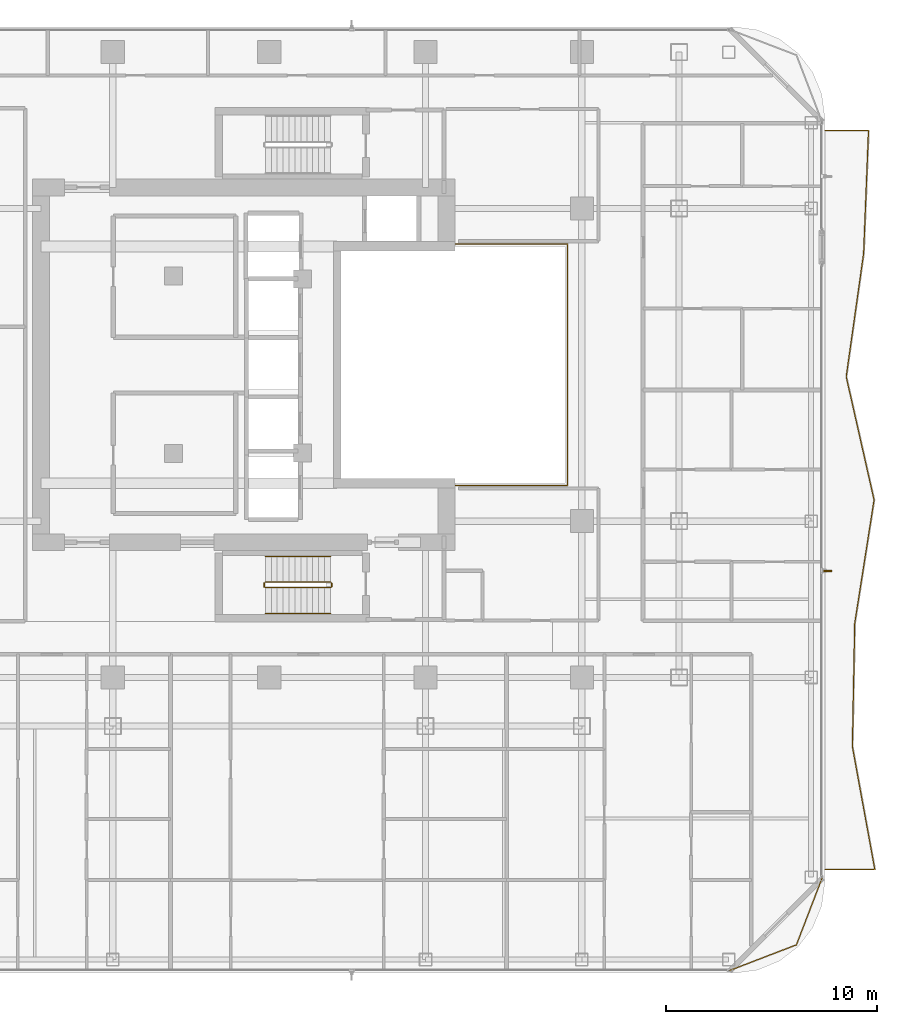
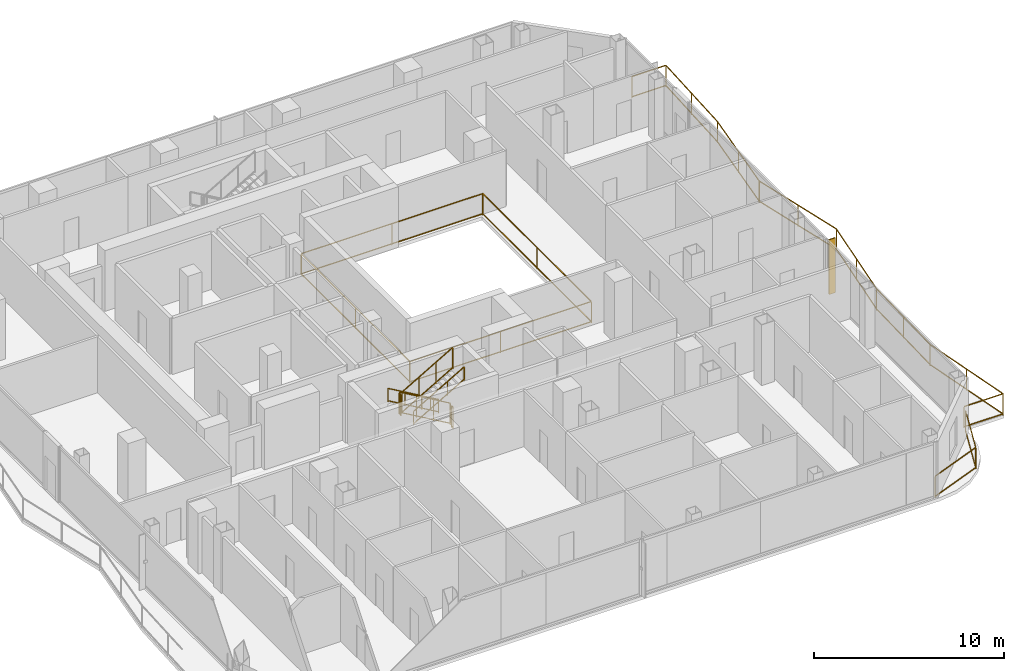
# One storey, part 26 of 27: 9 railings, 1 shading device.
"""IFC4 building model written with IfcOpenShell, lengths in metres."""

import ifcopenshell
import ifcopenshell.guid

model = None  # the IFC model being written
_history = None  # IfcOwnerHistory: only IFC2X3 demands one
_inside = {}  # id of a spatial element -> (the spatial element, [elements in it])
_under = {}  # id of a project, library or spatial element -> (it, [spatial elements below it])
_declared = {}  # id of a project -> (the project, [libraries it declares])
_typed = {}  # id of a type object -> (the type object, [elements of that type])
_made_of = {}  # id of a material, layer set ... -> (it, [elements and type objects made of it])


def new_model(schema):
    """Start an empty IFC model of exactly this schema.

    Asked for "IFC4X3", IfcOpenShell would pick the latest addendum, in which some entities
    have other attributes; the version numbers below select the first issue.
    IFC2X3 requires an IfcOwnerHistory on every rooted entity: one is made here for all.
    """
    global model, _history
    if schema == "IFC4X3":
        model = ifcopenshell.file(schema_version=(4, 3, 0, 0))
    else:
        model = ifcopenshell.file(schema=schema)
    _inside.clear()
    _under.clear()
    _declared.clear()
    _typed.clear()
    _made_of.clear()
    _history = None
    if model.schema == "IFC2X3":
        org = make("IfcOrganization", Name="unknown")
        user = make(
            "IfcPersonAndOrganization",
            ThePerson=make("IfcPerson", FamilyName="unknown"),
            TheOrganization=org,
        )
        app = make(
            "IfcApplication",
            ApplicationDeveloper=org,
            Version="unknown",
            ApplicationFullName="unknown",
            ApplicationIdentifier="unknown",
        )
        _history = make(
            "IfcOwnerHistory",
            OwningUser=user,
            OwningApplication=app,
            ChangeAction="ADDED",
            CreationDate=0,
        )
    return model


def make(cls, **values):
    """One entity of the class cls with the attributes given. An attribute that is None is left unset."""
    return model.create_entity(
        cls, **{name: value for name, value in values.items() if value is not None}
    )


def rooted(cls, **values):
    """An entity with a GlobalId (a new one), such as an element, a storey or a relation."""
    return make(cls, GlobalId=ifcopenshell.guid.new(), OwnerHistory=_history, **values)


def si_unit(unit_type, name, prefix=None):
    """IfcSIUnit, for example si_unit("LENGTHUNIT", "METRE", prefix="MILLI")."""
    return make("IfcSIUnit", UnitType=unit_type, Prefix=prefix, Name=name)


def assignment(units):
    """IfcUnitAssignment: the units of a project."""
    return None if units is None else make("IfcUnitAssignment", Units=units)


def point(xyz):
    """IfcCartesianPoint."""
    return None if xyz is None else make("IfcCartesianPoint", Coordinates=xyz)


def direction(xyz):
    """IfcDirection."""
    return None if xyz is None else make("IfcDirection", DirectionRatios=xyz)


def frame(location, z_axis=None, x_axis=None):
    """IfcAxis2Placement3D, a coordinate frame: its origin and axes. An axis left out is left unset."""
    return make(
        "IfcAxis2Placement3D",
        Location=point(location),
        Axis=direction(z_axis),
        RefDirection=direction(x_axis),
    )


def frame_2d(location, x_axis=None):
    """IfcAxis2Placement2D, a coordinate frame in the plane: its origin and x axis."""
    return make(
        "IfcAxis2Placement2D", Location=point(location), RefDirection=direction(x_axis)
    )


def origin():
    """The frame at (0, 0, 0) with its axes left unset."""
    return frame((0.0, 0.0, 0.0))


def origin_2d():
    """The frame at (0, 0) in the plane with its x axis left unset."""
    return frame_2d((0.0, 0.0))


def place(relative_to, where):
    """IfcLocalPlacement: puts the frame where relative to a parent placement (None: the world)."""
    return make(
        "IfcLocalPlacement", PlacementRelTo=relative_to, RelativePlacement=where
    )


def context(
    kind, dimensions, precision=None, world=None, true_north=None, identifier=None
):
    """IfcGeometricRepresentationContext, for example the 3D "Model" context."""
    return make(
        "IfcGeometricRepresentationContext",
        ContextIdentifier=identifier,
        ContextType=kind,
        CoordinateSpaceDimension=dimensions,
        Precision=precision,
        WorldCoordinateSystem=world,
        TrueNorth=true_north,
    )


def subcontext(parent, identifier, kind, view, scale=None):
    """IfcGeometricRepresentationSubContext, for example "Body" below "Model"."""
    return make(
        "IfcGeometricRepresentationSubContext",
        ContextIdentifier=identifier,
        ContextType=kind,
        ParentContext=parent,
        TargetScale=scale,
        TargetView=view,
    )


def project(units=None, contexts=None):
    """IfcProject with its units and contexts."""
    return rooted(
        "IfcProject",
        Name="project",
        RepresentationContexts=contexts,
        UnitsInContext=assignment(units),
    )


def spatial(cls, under=None, at=None, **own):
    """A site, building, storey or space (cls), placed at a placement, below another one or the project."""
    s = rooted(cls, ObjectPlacement=at, **own)
    if under is not None:
        _under.setdefault(under.id(), (under, []))[1].append(s)
    return s


def profile(cls, at=None, kind="AREA", **sizes):
    """A parametric profile (cls). Its sizes go by their IFC names, for example OverallWidth=200.0."""
    return make(cls, ProfileType=kind, Position=at, **sizes)


def rectangle(**sizes):
    """IfcRectangleProfileDef."""
    return profile("IfcRectangleProfileDef", **sizes)


def extrude(swept, where, along, depth):
    """IfcExtrudedAreaSolid: the profile swept, set in the frame where, extruded along a direction by depth."""
    return make(
        "IfcExtrudedAreaSolid",
        SweptArea=swept,
        Position=where,
        ExtrudedDirection=direction(along),
        Depth=depth,
    )


def shape(context_of_items, identifier, shape_type, items):
    """IfcShapeRepresentation: the items that make up one representation, for example the "Body"."""
    return make(
        "IfcShapeRepresentation",
        ContextOfItems=context_of_items,
        RepresentationIdentifier=identifier,
        RepresentationType=shape_type,
        Items=items,
    )


def material(Name=None, Category=None):
    """IfcMaterial."""
    return make("IfcMaterial", Name=Name, Category=Category)


def layer(
    of_material, thickness, ventilated=None, Name=None, Category=None, Priority=None
):
    """IfcMaterialLayer: one layer of a wall or slab, of a material (None: an air gap)."""
    return make(
        "IfcMaterialLayer",
        Material=of_material,
        LayerThickness=thickness,
        IsVentilated=ventilated,
        Name=Name,
        Category=Category,
        Priority=Priority,
    )


def layer_set(layers, Name=None):
    """IfcMaterialLayerSet."""
    return make("IfcMaterialLayerSet", MaterialLayers=layers, LayerSetName=Name)


def made_of(thing, what):
    """Note that an element or type object is made of a material, layer set ...; save() writes the relation."""
    if what is not None:
        _made_of.setdefault(what.id(), (what, []))[1].append(thing)
    return thing


def type_object(cls, material=None, **own):
    """A type object (cls), such as IfcWallType, which elements share."""
    return made_of(rooted(cls, **own), material)


def element(
    cls,
    number,
    at=None,
    inside=None,
    cuts=None,
    type_object=None,
    material=None,
    context=None,
    identifier="Body",
    shape_type=None,
    held_by="IfcProductDefinitionShape",
    body=None,
    shapes=None,
    **own,
):
    """One element of the class cls, such as IfcWall. Its Tag is "e" and its number.

    at: its placement. inside: the storey or other place that contains it. cuts: it is an
    opening in that element (IfcRelVoidsElement). A single representation is given by context,
    identifier, shape_type and body (its items); several are given by shapes. held_by: the class
    of the entity that holds the representations. save() writes the other relations.
    """
    e = rooted(cls, Tag="e%d" % number, ObjectPlacement=at, **own)
    if body is not None:
        shapes = [shape(context, identifier, shape_type, body)]
    if shapes is not None:
        e.Representation = make(held_by, Representations=shapes)
    if inside is not None:
        _inside.setdefault(inside.id(), (inside, []))[1].append(e)
    if cuts is not None:
        rooted(
            "IfcRelVoidsElement", RelatingBuildingElement=cuts, RelatedOpeningElement=e
        )
    if type_object is not None:
        _typed.setdefault(type_object.id(), (type_object, []))[1].append(e)
    return made_of(e, material)


def aggregate(whole, parts):
    """IfcRelAggregates: a whole, such as a stair, and the parts it consists of."""
    return rooted("IfcRelAggregates", RelatingObject=whole, RelatedObjects=parts)


def save(model, path):
    """Write the relations noted so far, then the file.

    IfcRelAggregates (storeys below a building ...), IfcRelContainedInSpatialStructure (elements
    in a storey), IfcRelDefinesByType, IfcRelAssociatesMaterial and IfcRelDeclares: one each for
    every whole, place, type object, material and project.
    """
    for whole, parts in _under.values():
        aggregate(whole, parts)
    for where, things in _inside.values():
        rooted(
            "IfcRelContainedInSpatialStructure",
            RelatedElements=things,
            RelatingStructure=where,
        )
    for kind, things in _typed.values():
        rooted("IfcRelDefinesByType", RelatedObjects=things, RelatingType=kind)
    for what, things in _made_of.values():
        rooted("IfcRelAssociatesMaterial", RelatedObjects=things, RelatingMaterial=what)
    for by, libraries in _declared.values():
        rooted("IfcRelDeclares", RelatingContext=by, RelatedDefinitions=libraries)
    model.write(path)


model = new_model("IFC4")

# Units and contexts
model_context = context("Model", 3, precision=1e-05, world=origin(), true_north=direction((0.0, 1.0)))
body_context = subcontext(model_context, "Body", "Model", "MODEL_VIEW")
ifc_project = project(units=[si_unit("LENGTHUNIT", "METRE"), si_unit("AREAUNIT", "SQUARE_METRE"), si_unit("VOLUMEUNIT", "CUBIC_METRE"), si_unit("PLANEANGLEUNIT", "RADIAN"), si_unit("MASSUNIT", "GRAM", prefix="KILO")], contexts=[model_context])

# Site, building, storey
site_placement = place(None, origin())
site = spatial("IfcSite", under=ifc_project, at=site_placement, CompositionType="ELEMENT")
building_placement = place(site_placement, origin())
building = spatial("IfcBuilding", under=site, at=building_placement, Name="Khorvyn Point Tower", CompositionType="ELEMENT")
storey_placement = place(building_placement, frame((0.0, 0.0, 231.300048828125)))
storey = spatial("IfcBuildingStorey", under=building, at=storey_placement, Name="L57", CompositionType="ELEMENT", Elevation=231.300048828125)

# Shading device
ifc_material_1 = material(Name="Bronze anodised aluminium 6063-T6", Category="aluminium")
ifc_layer = layer(ifc_material_1, 0.06494140625)
ifc_layer_set = layer_set([ifc_layer], Name="Bronze Anodised Aluminium FIN 380x65")
shading_device_type = type_object("IfcShadingDeviceType", Name="Bronze Anodised Aluminium FIN 380x65", PredefinedType="USERDEFINED", material=ifc_layer_set)
shading_device_placement = place(storey_placement, frame((26.429931640625, -9.75390625, 0.0400390625), z_axis=(0.0, 0.0, 1.0), x_axis=(1.0, 0.0, 0.0)))
element("IfcShadingDevice", 1, at=shading_device_placement, inside=storey, type_object=shading_device_type, Name="L57 Anodised FIN 01", ObjectType="FIN", PredefinedType="USERDEFINED", context=body_context, shape_type="SweptSolid", body=[
    extrude(rectangle(XDim=0.3798828125, YDim=0.06494140625, at=origin_2d()), origin(), (0.0, 0.0, 1.0), 3.52001953125),
])

# Railings
ifc_material_2 = material(Name="Stainless steel 1.4401 and laminated glass", Category="steel")
railing_type_1 = type_object("IfcRailingType", Name="Crystal Atrium Smoke-Rated Perimeter Guardrail 1400", PredefinedType="GUARDRAIL", material=ifc_material_2)
railing_1_placement = place(storey_placement, frame((3.080078125, -5.719970703125, 0.0)))
element("IfcRailing", 2, at=railing_1_placement, inside=storey, type_object=railing_type_1, Name="L57 Crystal Atrium Perimeter Guardrail", PredefinedType="GUARDRAIL", context=body_context, shape_type="SweptSolid", body=[
    extrude(rectangle(XDim=0.048095703125, YDim=0.048095703125, at=origin_2d()), frame((0.0, 0.0, 1.3759765625), z_axis=(1.0, 0.0, 0.0), x_axis=(0.0, 1.0, 0.0)), (0.0, 0.0, 1.0), 11.0400390625),
    extrude(rectangle(XDim=0.048095703125, YDim=0.048095703125, at=origin_2d()), frame((0.0, 0.0, 0.080078125), z_axis=(1.0, 0.0, 0.0), x_axis=(0.0, 1.0, 0.0)), (0.0, 0.0, 1.0), 11.0400390625),
    extrude(rectangle(XDim=0.048095703125, YDim=0.048095703125, at=origin_2d()), frame((11.0400390625, 0.0, 1.3759765625), z_axis=(0.0, 1.0, 0.0), x_axis=(-1.0, 0.0, 0.0)), (0.0, 0.0, 1.0), 11.43994140625),
    extrude(rectangle(XDim=0.048095703125, YDim=0.048095703125, at=origin_2d()), frame((11.0400390625, 0.0, 0.080078125), z_axis=(0.0, 1.0, 0.0), x_axis=(-1.0, 0.0, 0.0)), (0.0, 0.0, 1.0), 11.43994140625),
    extrude(rectangle(XDim=0.048095703125, YDim=0.048095703125, at=origin_2d()), frame((11.0400390625, 11.43994140625, 1.3759765625), z_axis=(-1.0, 0.0, 0.0), x_axis=(0.0, -1.0, 0.0)), (0.0, 0.0, 1.0), 11.0400390625),
    extrude(rectangle(XDim=0.048095703125, YDim=0.048095703125, at=origin_2d()), frame((11.0400390625, 11.43994140625, 0.080078125), z_axis=(-1.0, 0.0, 0.0), x_axis=(0.0, -1.0, 0.0)), (0.0, 0.0, 1.0), 11.0400390625),
    extrude(rectangle(XDim=0.048095703125, YDim=0.048095703125, at=origin_2d()), frame((0.0, 11.43994140625, 1.3759765625), z_axis=(0.0, -1.0, 0.0), x_axis=(1.0, 0.0, 0.0)), (0.0, 0.0, 1.0), 11.409912109375),
    extrude(rectangle(XDim=0.048095703125, YDim=0.048095703125, at=origin_2d()), frame((0.0, 11.43994140625, 0.080078125), z_axis=(0.0, -1.0, 0.0), x_axis=(1.0, 0.0, 0.0)), (0.0, 0.0, 1.0), 11.409912109375),
    extrude(rectangle(XDim=0.0419921875, YDim=0.0419921875, at=origin_2d()), origin(), (0.0, 0.0, 1.0), 1.351806640625),
    extrude(rectangle(XDim=0.0419921875, YDim=0.0419921875, at=origin_2d()), frame((5.52001953125, 0.0, 0.0)), (0.0, 0.0, 1.0), 1.351806640625),
    extrude(rectangle(XDim=0.0419921875, YDim=0.0419921875, at=origin_2d()), frame((11.0400390625, 0.0, 0.0)), (0.0, 0.0, 1.0), 1.351806640625),
    extrude(rectangle(XDim=0.0419921875, YDim=0.0419921875, at=origin_2d()), frame((11.0400390625, 5.719970703125, 0.0)), (0.0, 0.0, 1.0), 1.351806640625),
    extrude(rectangle(XDim=0.0419921875, YDim=0.0419921875, at=origin_2d()), frame((11.0400390625, 11.43994140625, 0.0)), (0.0, 0.0, 1.0), 1.351806640625),
    extrude(rectangle(XDim=0.0419921875, YDim=0.0419921875, at=origin_2d()), frame((5.52001953125, 11.43994140625, 0.0)), (0.0, 0.0, 1.0), 1.351806640625),
    extrude(rectangle(XDim=0.0419921875, YDim=0.0419921875, at=origin_2d()), frame((0.0, 11.43994140625, 0.0)), (0.0, 0.0, 1.0), 1.351806640625),
    extrude(rectangle(XDim=0.0419921875, YDim=0.0419921875, at=origin_2d()), frame((0.0, 5.73486328125, 0.0)), (0.0, 0.0, 1.0), 1.351806640625),
    extrude(rectangle(XDim=0.0419921875, YDim=0.0419921875, at=origin_2d()), frame((0.0, 0.030029296875, 0.0)), (0.0, 0.0, 1.0), 1.351806640625),
])
ifc_material_3 = material(Name="Anodised aluminium 6063-T6 and laminated safety glass", Category="aluminium")
railing_type_2 = type_object("IfcRailingType", Name="Laminated Glass and Aluminium Balcony Guardrail 1400", PredefinedType="BALUSTRADE", material=ifc_material_3)
railing_2_placement = place(storey_placement, frame((21.78125, -28.67431640625, 0.0)))
element("IfcRailing", 3, at=railing_2_placement, inside=storey, type_object=railing_type_2, Name="L57 Rounded Corner Edge Guardrail SE", PredefinedType="BALUSTRADE", context=body_context, shape_type="SweptSolid", body=[
    extrude(rectangle(XDim=0.048095703125, YDim=0.048095703125, at=origin_2d()), frame((0.0, 0.0, 1.3759765625), z_axis=(0.933589651443, 0.358343916815, 0.0), x_axis=(-0.358343916815, 0.933589651443, 0.0)), (0.0, 0.0, 1.0), 3.400390625),
    extrude(rectangle(XDim=0.048095703125, YDim=0.048095703125, at=origin_2d()), frame((0.0, 0.0, 0.080078125), z_axis=(0.933589651443, 0.358343916815, 0.0), x_axis=(-0.358343916815, 0.933589651443, 0.0)), (0.0, 0.0, 1.0), 3.400390625),
    extrude(rectangle(XDim=0.048095703125, YDim=0.048095703125, at=origin_2d()), frame((3.174560546875, 1.218505859375, 1.3759765625), z_axis=(0.358343916815, 0.933589651443, 0.0), x_axis=(-0.933589651443, 0.358343916815, 0.0)), (0.0, 0.0, 1.0), 3.400390625),
    extrude(rectangle(XDim=0.048095703125, YDim=0.048095703125, at=origin_2d()), frame((3.174560546875, 1.218505859375, 0.080078125), z_axis=(0.358343916815, 0.933589651443, 0.0), x_axis=(-0.933589651443, 0.358343916815, 0.0)), (0.0, 0.0, 1.0), 3.400390625),
    extrude(rectangle(XDim=0.0419921875, YDim=0.0419921875, at=origin_2d()), origin(), (0.0, 0.0, 1.0), 1.351806640625),
    extrude(rectangle(XDim=0.0419921875, YDim=0.0419921875, at=origin_2d()), frame((3.174560546875, 1.218505859375, 0.0)), (0.0, 0.0, 1.0), 1.351806640625),
    extrude(rectangle(XDim=0.0419921875, YDim=0.0419921875, at=origin_2d()), frame((4.39306640625, 4.39306640625, 0.0)), (0.0, 0.0, 1.0), 1.351806640625),
])
railing_3_placement = place(storey_placement, frame((26.300048828125, -23.89990234375, 0.0)))
element("IfcRailing", 4, at=railing_3_placement, inside=storey, type_object=railing_type_2, Name="L57 East Balcony Guardrail", PredefinedType="BALUSTRADE", context=body_context, shape_type="SweptSolid", body=[
    extrude(rectangle(XDim=0.048095703125, YDim=0.048095703125, at=origin_2d()), frame((0.0, 0.0, 1.3759765625), z_axis=(1.0, 0.0, 0.0), x_axis=(0.0, 1.0, 0.0)), (0.0, 0.0, 1.0), 2.36669921875),
    extrude(rectangle(XDim=0.048095703125, YDim=0.048095703125, at=origin_2d()), frame((0.0, 0.0, 0.080078125), z_axis=(1.0, 0.0, 0.0), x_axis=(0.0, 1.0, 0.0)), (0.0, 0.0, 1.0), 2.36669921875),
    extrude(rectangle(XDim=0.048095703125, YDim=0.048095703125, at=origin_2d()), frame((2.36669921875, 0.0, 1.3759765625), z_axis=(-0.179356454853, 0.983784154224, 0.0), x_axis=(-0.983784154224, -0.179356454853, 0.0)), (0.0, 0.0, 1.0), 5.929443359375),
    extrude(rectangle(XDim=0.048095703125, YDim=0.048095703125, at=origin_2d()), frame((2.36669921875, 0.0, 0.080078125), z_axis=(-0.179356454853, 0.983784154224, 0.0), x_axis=(-0.983784154224, -0.179356454853, 0.0)), (0.0, 0.0, 1.0), 5.929443359375),
    extrude(rectangle(XDim=0.048095703125, YDim=0.048095703125, at=origin_2d()), frame((1.30322265625, 5.833251953125, 1.3759765625), z_axis=(0.01924893367, 0.999814722112, 0.0), x_axis=(-0.999814722112, 0.01924893367, 0.0)), (0.0, 0.0, 1.0), 5.834228515625),
    extrude(rectangle(XDim=0.048095703125, YDim=0.048095703125, at=origin_2d()), frame((1.30322265625, 5.833251953125, 0.080078125), z_axis=(0.01924893367, 0.999814722112, 0.0), x_axis=(-0.999814722112, 0.01924893367, 0.0)), (0.0, 0.0, 1.0), 5.834228515625),
    extrude(rectangle(XDim=0.048095703125, YDim=0.048095703125, at=origin_2d()), frame((1.41552734375, 11.66650390625, 1.3759765625), z_axis=(0.155004956576, 0.987913692301, 0.0), x_axis=(-0.987913692301, 0.155004956576, 0.0)), (0.0, 0.0, 1.0), 5.90478515625),
    extrude(rectangle(XDim=0.048095703125, YDim=0.048095703125, at=origin_2d()), frame((1.41552734375, 11.66650390625, 0.080078125), z_axis=(0.155004956576, 0.987913692301, 0.0), x_axis=(-0.987913692301, 0.155004956576, 0.0)), (0.0, 0.0, 1.0), 5.90478515625),
    extrude(rectangle(XDim=0.048095703125, YDim=0.048095703125, at=origin_2d()), frame((2.330810546875, 17.5, 1.3759765625), z_axis=(-0.2206029152, 0.975363703346, 0.0), x_axis=(-0.975363703346, -0.2206029152, 0.0)), (0.0, 0.0, 1.0), 5.980712890625),
    extrude(rectangle(XDim=0.048095703125, YDim=0.048095703125, at=origin_2d()), frame((2.330810546875, 17.5, 0.080078125), z_axis=(-0.2206029152, 0.975363703346, 0.0), x_axis=(-0.975363703346, -0.2206029152, 0.0)), (0.0, 0.0, 1.0), 5.980712890625),
    extrude(rectangle(XDim=0.048095703125, YDim=0.048095703125, at=origin_2d()), frame((1.011474609375, 23.333251953125, 1.3759765625), z_axis=(0.139947544031, 0.990158919022, 0.0), x_axis=(-0.990158919022, 0.139947544031, 0.0)), (0.0, 0.0, 1.0), 5.89111328125),
    extrude(rectangle(XDim=0.048095703125, YDim=0.048095703125, at=origin_2d()), frame((1.011474609375, 23.333251953125, 0.080078125), z_axis=(0.139947544031, 0.990158919022, 0.0), x_axis=(-0.990158919022, 0.139947544031, 0.0)), (0.0, 0.0, 1.0), 5.89111328125),
    extrude(rectangle(XDim=0.048095703125, YDim=0.048095703125, at=origin_2d()), frame((1.8359375, 29.16650390625, 1.3759765625), z_axis=(0.039769299947, 0.999208888462, 0.0), x_axis=(-0.999208888462, 0.039769299947, 0.0)), (0.0, 0.0, 1.0), 5.838134765625),
    extrude(rectangle(XDim=0.048095703125, YDim=0.048095703125, at=origin_2d()), frame((1.8359375, 29.16650390625, 0.080078125), z_axis=(0.039769299947, 0.999208888462, 0.0), x_axis=(-0.999208888462, 0.039769299947, 0.0)), (0.0, 0.0, 1.0), 5.838134765625),
    extrude(rectangle(XDim=0.048095703125, YDim=0.048095703125, at=origin_2d()), frame((2.068115234375, 35.0, 1.3759765625), z_axis=(-1.0, 0.0, 0.0), x_axis=(0.0, -1.0, 0.0)), (0.0, 0.0, 1.0), 2.068115234375),
    extrude(rectangle(XDim=0.048095703125, YDim=0.048095703125, at=origin_2d()), frame((2.068115234375, 35.0, 0.080078125), z_axis=(-1.0, 0.0, 0.0), x_axis=(0.0, -1.0, 0.0)), (0.0, 0.0, 1.0), 2.068115234375),
    extrude(rectangle(XDim=0.0419921875, YDim=0.0419921875, at=origin_2d()), origin(), (0.0, 0.0, 1.0), 1.351806640625),
    extrude(rectangle(XDim=0.0419921875, YDim=0.0419921875, at=origin_2d()), frame((2.36669921875, 0.0, 0.0)), (0.0, 0.0, 1.0), 1.351806640625),
    extrude(rectangle(XDim=0.0419921875, YDim=0.0419921875, at=origin_2d()), frame((1.8349609375, 2.91650390625, 0.0)), (0.0, 0.0, 1.0), 1.351806640625),
    extrude(rectangle(XDim=0.0419921875, YDim=0.0419921875, at=origin_2d()), frame((1.30322265625, 5.833251953125, 0.0)), (0.0, 0.0, 1.0), 1.351806640625),
    extrude(rectangle(XDim=0.0419921875, YDim=0.0419921875, at=origin_2d()), frame((1.359375, 8.75, 0.0)), (0.0, 0.0, 1.0), 1.351806640625),
    extrude(rectangle(XDim=0.0419921875, YDim=0.0419921875, at=origin_2d()), frame((1.41552734375, 11.66650390625, 0.0)), (0.0, 0.0, 1.0), 1.351806640625),
    extrude(rectangle(XDim=0.0419921875, YDim=0.0419921875, at=origin_2d()), frame((1.873046875, 14.583251953125, 0.0)), (0.0, 0.0, 1.0), 1.351806640625),
    extrude(rectangle(XDim=0.0419921875, YDim=0.0419921875, at=origin_2d()), frame((2.330810546875, 17.5, 0.0)), (0.0, 0.0, 1.0), 1.351806640625),
    extrude(rectangle(XDim=0.0419921875, YDim=0.0419921875, at=origin_2d()), frame((1.671142578125, 20.41650390625, 0.0)), (0.0, 0.0, 1.0), 1.351806640625),
    extrude(rectangle(XDim=0.0419921875, YDim=0.0419921875, at=origin_2d()), frame((1.011474609375, 23.333251953125, 0.0)), (0.0, 0.0, 1.0), 1.351806640625),
    extrude(rectangle(XDim=0.0419921875, YDim=0.0419921875, at=origin_2d()), frame((1.423828125, 26.25, 0.0)), (0.0, 0.0, 1.0), 1.351806640625),
    extrude(rectangle(XDim=0.0419921875, YDim=0.0419921875, at=origin_2d()), frame((1.8359375, 29.16650390625, 0.0)), (0.0, 0.0, 1.0), 1.351806640625),
    extrude(rectangle(XDim=0.0419921875, YDim=0.0419921875, at=origin_2d()), frame((1.9521484375, 32.083251953125, 0.0)), (0.0, 0.0, 1.0), 1.351806640625),
    extrude(rectangle(XDim=0.0419921875, YDim=0.0419921875, at=origin_2d()), frame((2.068115234375, 35.0, 0.0)), (0.0, 0.0, 1.0), 1.351806640625),
    extrude(rectangle(XDim=0.0419921875, YDim=0.0419921875, at=origin_2d()), frame((0.0, 35.0, 0.0)), (0.0, 0.0, 1.0), 1.351806640625),
])
ifc_material_4 = material(Name="Stainless steel 1.4301", Category="steel")
railing_type_3 = type_object("IfcRailingType", Name="Stainless Steel 304 Stair Pitch Handrail 900", PredefinedType="HANDRAIL", material=ifc_material_4)
railing_4_placement = place(storey_placement, frame((2.89990234375, -9.070068359375, 0.162353515625)))
element("IfcRailing", 5, at=railing_4_placement, inside=storey, type_object=railing_type_3, Name="L57 ST-01 stair handrail 1", PredefinedType="HANDRAIL", context=body_context, shape_type="SweptSolid", body=[
    extrude(rectangle(XDim=0.048095703125, YDim=0.048095703125, at=origin_2d()), frame((0.0, 0.0, 0.8759765625), z_axis=(-0.864873446163, 0.0, 0.501989962173), x_axis=(0.0, -1.0, 0.0)), (0.0, 0.0, 1.0), 3.56103515625),
    extrude(rectangle(XDim=0.048095703125, YDim=0.048095703125, at=origin_2d()), frame((0.0, 0.0, 0.080078125), z_axis=(-0.864873446163, 0.0, 0.501989962173), x_axis=(0.0, -1.0, 0.0)), (0.0, 0.0, 1.0), 3.56103515625),
    extrude(rectangle(XDim=0.0419921875, YDim=0.0419921875, at=origin_2d()), origin(), (0.0, 0.0, 1.0), 0.851806640625),
    extrude(rectangle(XDim=0.0419921875, YDim=0.0419921875, at=origin_2d()), frame((-1.026611328125, 0.0, 0.595947265625)), (0.0, 0.0, 1.0), 0.851806640625),
    extrude(rectangle(XDim=0.0419921875, YDim=0.0419921875, at=origin_2d()), frame((-2.05322265625, 0.0, 1.191650390625)), (0.0, 0.0, 1.0), 0.851806640625),
    extrude(rectangle(XDim=0.0419921875, YDim=0.0419921875, at=origin_2d()), frame((-3.079833984375, 0.0, 1.78759765625)), (0.0, 0.0, 1.0), 0.851806640625),
])
railing_5_placement = place(storey_placement, frame((-0.179931640625, -11.77001953125, 2.112548828125)))
element("IfcRailing", 6, at=railing_5_placement, inside=storey, type_object=railing_type_3, Name="L57 ST-01 stair handrail 2", PredefinedType="HANDRAIL", context=body_context, shape_type="SweptSolid", body=[
    extrude(rectangle(XDim=0.048095703125, YDim=0.048095703125, at=origin_2d()), frame((0.0, 0.0, 0.8759765625), z_axis=(0.864903211148, 0.0, 0.501938676878), x_axis=(0.0, 1.0, 0.0)), (0.0, 0.0, 1.0), 3.560791015625),
    extrude(rectangle(XDim=0.048095703125, YDim=0.048095703125, at=origin_2d()), frame((0.0, 0.0, 0.080078125), z_axis=(0.864903211148, 0.0, 0.501938676878), x_axis=(0.0, 1.0, 0.0)), (0.0, 0.0, 1.0), 3.560791015625),
    extrude(rectangle(XDim=0.0419921875, YDim=0.0419921875, at=origin_2d()), origin(), (0.0, 0.0, 1.0), 0.851806640625),
    extrude(rectangle(XDim=0.0419921875, YDim=0.0419921875, at=origin_2d()), frame((1.026611328125, 0.0, 0.595703125)), (0.0, 0.0, 1.0), 0.851806640625),
    extrude(rectangle(XDim=0.0419921875, YDim=0.0419921875, at=origin_2d()), frame((2.05322265625, 0.0, 1.191650390625)), (0.0, 0.0, 1.0), 0.851806640625),
    extrude(rectangle(XDim=0.0419921875, YDim=0.0419921875, at=origin_2d()), frame((3.079833984375, 0.0, 1.787353515625)), (0.0, 0.0, 1.0), 0.851806640625),
])
railing_type_4 = type_object("IfcRailingType", Name="Stainless Steel 304 Stair Well Guardrail 1400", PredefinedType="GUARDRAIL", material=ifc_material_4)
railing_6_placement = place(storey_placement, frame((2.89990234375, -10.2900390625, 0.162353515625)))
element("IfcRailing", 7, at=railing_6_placement, inside=storey, type_object=railing_type_4, Name="L57 ST-01 stair guard 1", PredefinedType="GUARDRAIL", context=body_context, shape_type="SweptSolid", body=[
    extrude(rectangle(XDim=0.048095703125, YDim=0.048095703125, at=origin_2d()), frame((0.0, 0.0, 1.3759765625), z_axis=(-0.864873446163, 0.0, 0.501989962173), x_axis=(0.0, -1.0, 0.0)), (0.0, 0.0, 1.0), 3.56103515625),
    extrude(rectangle(XDim=0.048095703125, YDim=0.048095703125, at=origin_2d()), frame((0.0, 0.0, 0.080078125), z_axis=(-0.864873446163, 0.0, 0.501989962173), x_axis=(0.0, -1.0, 0.0)), (0.0, 0.0, 1.0), 3.56103515625),
    extrude(rectangle(XDim=0.0419921875, YDim=0.0419921875, at=origin_2d()), origin(), (0.0, 0.0, 1.0), 1.351806640625),
    extrude(rectangle(XDim=0.0419921875, YDim=0.0419921875, at=origin_2d()), frame((-1.026611328125, 0.0, 0.595947265625)), (0.0, 0.0, 1.0), 1.351806640625),
    extrude(rectangle(XDim=0.0419921875, YDim=0.0419921875, at=origin_2d()), frame((-2.05322265625, 0.0, 1.191650390625)), (0.0, 0.0, 1.0), 1.351806640625),
    extrude(rectangle(XDim=0.0419921875, YDim=0.0419921875, at=origin_2d()), frame((-3.079833984375, 0.0, 1.78759765625)), (0.0, 0.0, 1.0), 1.351806640625),
])
railing_7_placement = place(storey_placement, frame((-0.22998046875, -10.340087890625, 1.949951171875)))
element("IfcRailing", 8, at=railing_7_placement, inside=storey, type_object=railing_type_4, Name="L57 ST-01 stair guard 2", PredefinedType="GUARDRAIL", context=body_context, shape_type="SweptSolid", body=[
    extrude(rectangle(XDim=0.048095703125, YDim=0.048095703125, at=origin_2d()), frame((0.0, 0.0, 1.3759765625), z_axis=(0.0, -1.0, 0.0), x_axis=(1.0, 0.0, 0.0)), (0.0, 0.0, 1.0), 0.159912109375),
    extrude(rectangle(XDim=0.048095703125, YDim=0.048095703125, at=origin_2d()), frame((0.0, 0.0, 0.080078125), z_axis=(0.0, -1.0, 0.0), x_axis=(1.0, 0.0, 0.0)), (0.0, 0.0, 1.0), 0.159912109375),
    extrude(rectangle(XDim=0.0419921875, YDim=0.0419921875, at=origin_2d()), origin(), (0.0, 0.0, 1.0), 1.351806640625),
    extrude(rectangle(XDim=0.0419921875, YDim=0.0419921875, at=origin_2d()), frame((0.0, -0.159912109375, 0.0)), (0.0, 0.0, 1.0), 1.351806640625),
])
railing_8_placement = place(storey_placement, frame((-0.179931640625, -10.550048828125, 2.112548828125)))
element("IfcRailing", 9, at=railing_8_placement, inside=storey, type_object=railing_type_4, Name="L57 ST-01 stair guard 3", PredefinedType="GUARDRAIL", context=body_context, shape_type="SweptSolid", body=[
    extrude(rectangle(XDim=0.048095703125, YDim=0.048095703125, at=origin_2d()), frame((0.0, 0.0, 1.3759765625), z_axis=(0.864903211148, 0.0, 0.501938676878), x_axis=(0.0, 1.0, 0.0)), (0.0, 0.0, 1.0), 3.560791015625),
    extrude(rectangle(XDim=0.048095703125, YDim=0.048095703125, at=origin_2d()), frame((0.0, 0.0, 0.080078125), z_axis=(0.864903211148, 0.0, 0.501938676878), x_axis=(0.0, 1.0, 0.0)), (0.0, 0.0, 1.0), 3.560791015625),
    extrude(rectangle(XDim=0.0419921875, YDim=0.0419921875, at=origin_2d()), origin(), (0.0, 0.0, 1.0), 1.351806640625),
    extrude(rectangle(XDim=0.0419921875, YDim=0.0419921875, at=origin_2d()), frame((1.026611328125, 0.0, 0.595703125)), (0.0, 0.0, 1.0), 1.351806640625),
    extrude(rectangle(XDim=0.0419921875, YDim=0.0419921875, at=origin_2d()), frame((2.05322265625, 0.0, 1.191650390625)), (0.0, 0.0, 1.0), 1.351806640625),
    extrude(rectangle(XDim=0.0419921875, YDim=0.0419921875, at=origin_2d()), frame((3.079833984375, 0.0, 1.787353515625)), (0.0, 0.0, 1.0), 1.351806640625),
])
railing_9_placement = place(storey_placement, frame((2.949951171875, -10.340087890625, 0.0)))
element("IfcRailing", 10, at=railing_9_placement, inside=storey, type_object=railing_type_4, Name="L57 ST-01 stair guard 4", PredefinedType="GUARDRAIL", context=body_context, shape_type="SweptSolid", body=[
    extrude(rectangle(XDim=0.048095703125, YDim=0.048095703125, at=origin_2d()), frame((0.0, 0.0, 1.3759765625), z_axis=(0.0, -1.0, 0.0), x_axis=(1.0, 0.0, 0.0)), (0.0, 0.0, 1.0), 0.159912109375),
    extrude(rectangle(XDim=0.048095703125, YDim=0.048095703125, at=origin_2d()), frame((0.0, 0.0, 0.080078125), z_axis=(0.0, -1.0, 0.0), x_axis=(1.0, 0.0, 0.0)), (0.0, 0.0, 1.0), 0.159912109375),
    extrude(rectangle(XDim=0.0419921875, YDim=0.0419921875, at=origin_2d()), origin(), (0.0, 0.0, 1.0), 1.351806640625),
    extrude(rectangle(XDim=0.0419921875, YDim=0.0419921875, at=origin_2d()), frame((0.0, -0.159912109375, 0.0)), (0.0, 0.0, 1.0), 1.351806640625),
])

save(model, "model.ifc")
